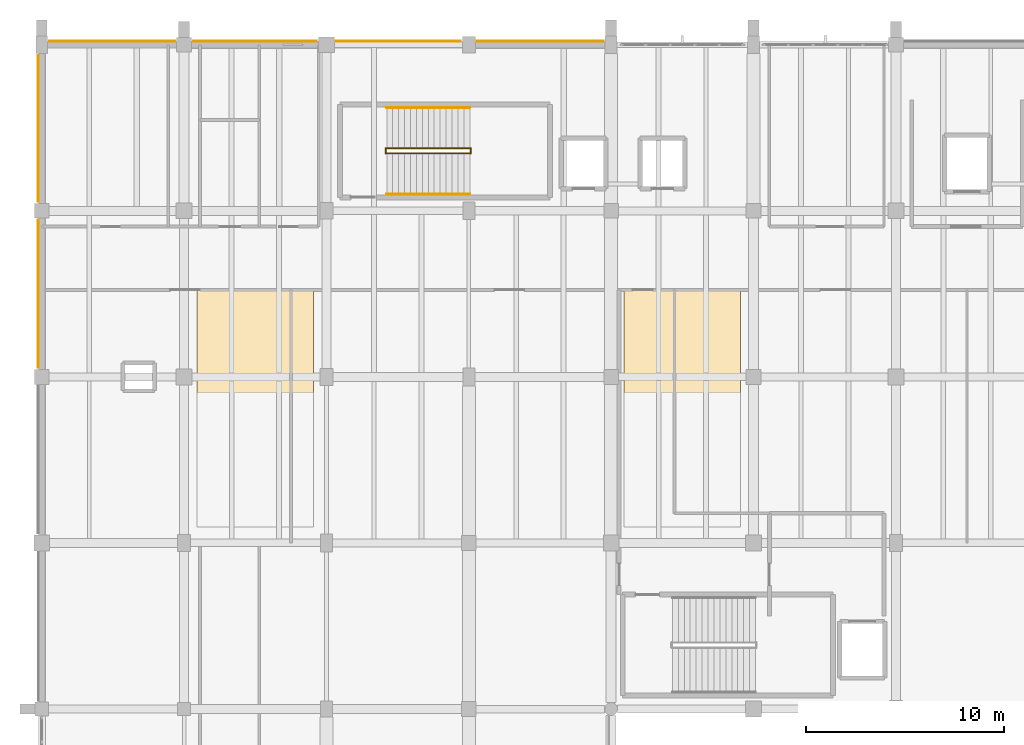
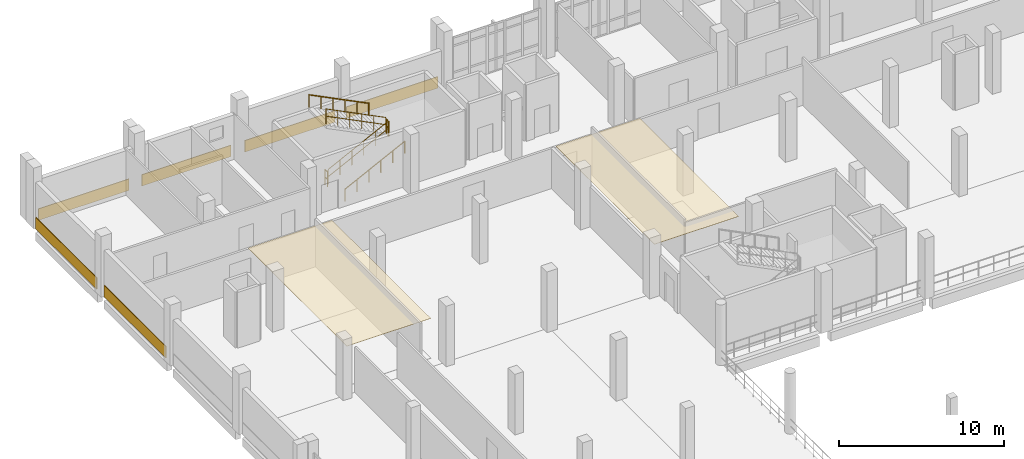
# One storey, part 114 of 116: 8 coverings, 6 railings.
"""IFC4 building model written with IfcOpenShell, lengths in metres."""

from ifc_helpers import new_model, si_unit, direction, frame, origin, origin_2d, place, context, subcontext, project, spatial, polyline, rectangle, circle, outline, extrude, material, layer, layer_set, type_object, element, save


model = new_model("IFC4")

# Units and contexts
model_context = context("Model", 3, precision=1e-05, world=origin(), true_north=direction((0.0, 1.0)))
body_context = subcontext(model_context, "Body", "Model", "MODEL_VIEW")
ifc_project = project(units=[si_unit("LENGTHUNIT", "METRE"), si_unit("AREAUNIT", "SQUARE_METRE"), si_unit("VOLUMEUNIT", "CUBIC_METRE"), si_unit("PLANEANGLEUNIT", "RADIAN"), si_unit("MASSUNIT", "GRAM", prefix="KILO")], contexts=[model_context])

# Site, building, storey
site_placement = place(None, origin())
site = spatial("IfcSite", under=ifc_project, at=site_placement, CompositionType="ELEMENT")
building_placement = place(site_placement, origin())
building = spatial("IfcBuilding", under=site, at=building_placement, Name="Kalluvel Institute of Natural Sciences", CompositionType="ELEMENT")
storey_placement = place(building_placement, frame((0.0, 0.0, 14.39990234375)))
storey = spatial("IfcBuildingStorey", under=building, at=storey_placement, Name="L03", CompositionType="ELEMENT", Elevation=14.39990234375)

# Coverings
ifc_material_1 = material(Name="Perforated Mineral-Fibre Acoustic Tile", Category="gypsum")
ifc_layer_1 = layer(ifc_material_1, 0.02490234375)
ifc_layer_set_1 = layer_set([ifc_layer_1], Name="Perforated Mineral-Fibre Acoustic Tile")
covering_type_1 = type_object("IfcCoveringType", Name="COV-CEIL-600", PredefinedType="CEILING", material=ifc_layer_set_1)
covering_1_placement = place(storey_placement, frame((0.0, 0.0, 2.9501953125)))
element("IfcCovering", 1, at=covering_1_placement, inside=storey, type_object=covering_type_1, Name="L03 laboratory acoustic ceiling panel 7", PredefinedType="CEILING", context=body_context, shape_type="SweptSolid", body=[
    extrude(outline(polyline([(21.85009765625, 103.60009765625), (27.75, 103.60009765625), (27.75, 115.60009765625), (21.85009765625, 115.60009765625), (21.85009765625, 103.60009765625)])), origin(), (0.0, 0.0, 1.0), 0.02490234375),
])
covering_2_placement = place(storey_placement, frame((0.0, 0.0, 2.9501953125)))
element("IfcCovering", 2, at=covering_2_placement, inside=storey, type_object=covering_type_1, Name="L03 laboratory acoustic ceiling panel 8", PredefinedType="CEILING", context=body_context, shape_type="SweptSolid", body=[
    extrude(outline(polyline([(43.449951171875, 103.60009765625), (49.35009765625, 103.60009765625), (49.35009765625, 115.60009765625), (43.449951171875, 115.60009765625), (43.449951171875, 103.60009765625)])), origin(), (0.0, 0.0, 1.0), 0.02490234375),
])
ifc_material_2 = material(Name="Sadarahalli Grey Granite Ashlar Concrete M40", Category="masonry")
ifc_layer_2 = layer(ifc_material_2, 0.044921875)
ifc_layer_set_2 = layer_set([ifc_layer_2], Name="Sadarahalli Grey Granite Ashlar Concrete M40")
covering_type_2 = type_object("IfcCoveringType", Name="COV-CLAD-STONE", PredefinedType="CLADDING", material=ifc_layer_set_2)
covering_3_placement = place(storey_placement, frame((17.5625, 128.179931640625, 0.025146484375), z_axis=(0.0, 0.0, 1.0), x_axis=(1.0, 0.0, 0.0)))
element("IfcCovering", 3, at=covering_3_placement, inside=storey, type_object=covering_type_2, Name="L03 Sadarahalli granite plinth spandrel cladding 36", PredefinedType="CLADDING", context=body_context, shape_type="SweptSolid", body=[
    extrude(rectangle(XDim=6.364990234375, YDim=0.044921875, at=origin_2d()), origin(), (0.0, 0.0, 1.0), 0.85009765625),
])
covering_4_placement = place(storey_placement, frame((24.78759765625, 128.179931640625, 0.025146484375), z_axis=(0.0, 0.0, 1.0), x_axis=(1.0, 0.0, 0.0)))
element("IfcCovering", 4, at=covering_4_placement, inside=storey, type_object=covering_type_2, Name="L03 Sadarahalli granite plinth spandrel cladding 37", PredefinedType="CLADDING", context=body_context, shape_type="SweptSolid", body=[
    extrude(rectangle(XDim=6.264892578125, YDim=0.044921875, at=origin_2d()), origin(), (0.0, 0.0, 1.0), 0.85009765625),
])
covering_5_placement = place(storey_placement, frame((32.03759765625, 128.179931640625, 0.025146484375), z_axis=(0.0, 0.0, 1.0), x_axis=(1.0, 0.0, 0.0)))
element("IfcCovering", 5, at=covering_5_placement, inside=storey, type_object=covering_type_2, Name="L03 Sadarahalli granite plinth spandrel cladding 38", PredefinedType="CLADDING", context=body_context, shape_type="SweptSolid", body=[
    extrude(rectangle(XDim=6.31494140625, YDim=0.044921875, at=origin_2d()), origin(), (0.0, 0.0, 1.0), 0.85009765625),
])
covering_6_placement = place(storey_placement, frame((39.21240234375, 128.179931640625, 0.025146484375), z_axis=(0.0, 0.0, 1.0), x_axis=(1.0, 0.0, 0.0)))
element("IfcCovering", 6, at=covering_6_placement, inside=storey, type_object=covering_type_2, Name="L03 Sadarahalli granite plinth spandrel cladding 39", PredefinedType="CLADDING", context=body_context, shape_type="SweptSolid", body=[
    extrude(rectangle(XDim=6.4150390625, YDim=0.044921875, at=origin_2d()), origin(), (0.0, 0.0, 1.0), 0.85009765625),
])
covering_7_placement = place(storey_placement, frame((13.820068359375, 115.39990234375, 0.025146484375), z_axis=(0.0, 0.0, 1.0), x_axis=(0.0, 1.0, 0.0)))
element("IfcCovering", 7, at=covering_7_placement, inside=storey, type_object=covering_type_2, Name="L03 Sadarahalli granite plinth spandrel cladding 45", PredefinedType="CLADDING", context=body_context, shape_type="SweptSolid", body=[
    extrude(rectangle(XDim=7.489990234375, YDim=0.044921875, at=origin_2d()), origin(), (0.0, 0.0, 1.0), 0.85009765625),
])
covering_8_placement = place(storey_placement, frame((13.820068359375, 123.762451171875, 0.025146484375), z_axis=(0.0, 0.0, 1.0), x_axis=(0.0, 1.0, 0.0)))
element("IfcCovering", 8, at=covering_8_placement, inside=storey, type_object=covering_type_2, Name="L03 Sadarahalli granite plinth spandrel cladding 46", PredefinedType="CLADDING", context=body_context, shape_type="SweptSolid", body=[
    extrude(rectangle(XDim=7.4150390625, YDim=0.044921875, at=origin_2d()), origin(), (0.0, 0.0, 1.0), 0.85009765625),
])

# Railings
ifc_material_3 = material(Name="Galvanized Fire-Rated Steel", Category="steel")
railing_type_1 = type_object("IfcRailingType", Name="RL-GD-STAIR", PredefinedType="BALUSTRADE", material=ifc_material_3)
railing_1_placement = place(storey_placement, frame((31.449951171875, 122.510009765625, 0.150146484375)))
element("IfcRailing", 9, at=railing_1_placement, inside=storey, type_object=railing_type_1, Name="L03 ST1 stair guard 1", PredefinedType="BALUSTRADE", context=body_context, shape_type="SweptSolid", body=[
    extrude(circle(Radius=0.02392578125, at=origin_2d()), frame((0.0, 0.0, 1.09619140625), z_axis=(0.894437589381, 0.0, 0.447192798132), x_axis=(0.0, 1.0, 0.0)), (0.0, 0.0, 1.0), 4.695556640625),
    extrude(circle(Radius=0.02392578125, at=origin_2d()), frame((0.0, 0.0, 0.56005859375), z_axis=(0.894437589381, 0.0, 0.447192798132), x_axis=(0.0, 1.0, 0.0)), (0.0, 0.0, 1.0), 4.695556640625),
    extrude(circle(Radius=0.02099609375, at=origin_2d()), origin(), (0.0, 0.0, 1.0), 1.072021484375),
    extrude(circle(Radius=0.02099609375, at=origin_2d()), frame((0.840087890625, 0.0, 0.419921875)), (0.0, 0.0, 1.0), 1.072021484375),
    extrude(circle(Radius=0.02099609375, at=origin_2d()), frame((1.679931640625, 0.0, 0.83984375)), (0.0, 0.0, 1.0), 1.072021484375),
    extrude(circle(Radius=0.02099609375, at=origin_2d()), frame((2.52001953125, 0.0, 1.260009765625)), (0.0, 0.0, 1.0), 1.072021484375),
    extrude(circle(Radius=0.02099609375, at=origin_2d()), frame((3.35986328125, 0.0, 1.679931640625)), (0.0, 0.0, 1.0), 1.072021484375),
    extrude(circle(Radius=0.02099609375, at=origin_2d()), frame((4.199951171875, 0.0, 2.099853515625)), (0.0, 0.0, 1.0), 1.072021484375),
])
railing_2_placement = place(storey_placement, frame((35.699951171875, 122.4951171875, 2.25)))
element("IfcRailing", 10, at=railing_2_placement, inside=storey, type_object=railing_type_1, Name="L03 ST1 stair guard 2", PredefinedType="BALUSTRADE", context=body_context, shape_type="SweptSolid", body=[
    extrude(circle(Radius=0.02392578125, at=origin_2d()), frame((0.0, 0.0, 1.09619140625), z_axis=(0.0, 1.0, 0.0), x_axis=(-1.0, 0.0, 0.0)), (0.0, 0.0, 1.0), 0.27978515625),
    extrude(circle(Radius=0.02392578125, at=origin_2d()), frame((0.0, 0.0, 0.56005859375), z_axis=(0.0, 1.0, 0.0), x_axis=(-1.0, 0.0, 0.0)), (0.0, 0.0, 1.0), 0.27978515625),
    extrude(circle(Radius=0.02099609375, at=origin_2d()), origin(), (0.0, 0.0, 1.0), 1.072021484375),
    extrude(circle(Radius=0.02099609375, at=origin_2d()), frame((0.0, 0.27978515625, 0.0)), (0.0, 0.0, 1.0), 1.072021484375),
])
railing_3_placement = place(storey_placement, frame((35.64990234375, 122.760009765625, 2.400146484375)))
element("IfcRailing", 11, at=railing_3_placement, inside=storey, type_object=railing_type_1, Name="L03 ST1 stair guard 3", PredefinedType="BALUSTRADE", context=body_context, shape_type="SweptSolid", body=[
    extrude(circle(Radius=0.02392578125, at=origin_2d()), frame((0.0, 0.0, 1.09619140625), z_axis=(-0.894437589381, 0.0, 0.447192798132), x_axis=(0.0, -1.0, 0.0)), (0.0, 0.0, 1.0), 4.695556640625),
    extrude(circle(Radius=0.02392578125, at=origin_2d()), frame((0.0, 0.0, 0.56005859375), z_axis=(-0.894437589381, 0.0, 0.447192798132), x_axis=(0.0, -1.0, 0.0)), (0.0, 0.0, 1.0), 4.695556640625),
    extrude(circle(Radius=0.02099609375, at=origin_2d()), origin(), (0.0, 0.0, 1.0), 1.072021484375),
    extrude(circle(Radius=0.02099609375, at=origin_2d()), frame((-0.840087890625, 0.0, 0.419921875)), (0.0, 0.0, 1.0), 1.072021484375),
    extrude(circle(Radius=0.02099609375, at=origin_2d()), frame((-1.679931640625, 0.0, 0.83984375)), (0.0, 0.0, 1.0), 1.072021484375),
    extrude(circle(Radius=0.02099609375, at=origin_2d()), frame((-2.52001953125, 0.0, 1.260009765625)), (0.0, 0.0, 1.0), 1.072021484375),
    extrude(circle(Radius=0.02099609375, at=origin_2d()), frame((-3.35986328125, 0.0, 1.679931640625)), (0.0, 0.0, 1.0), 1.072021484375),
    extrude(circle(Radius=0.02099609375, at=origin_2d()), frame((-4.199951171875, 0.0, 2.099853515625)), (0.0, 0.0, 1.0), 1.072021484375),
])
railing_4_placement = place(storey_placement, frame((31.39990234375, 122.4951171875, 0.0)))
element("IfcRailing", 12, at=railing_4_placement, inside=storey, type_object=railing_type_1, Name="L03 ST1 stair guard 4", PredefinedType="BALUSTRADE", context=body_context, shape_type="SweptSolid", body=[
    extrude(circle(Radius=0.02392578125, at=origin_2d()), frame((0.0, 0.0, 1.09619140625), z_axis=(0.0, 1.0, 0.0), x_axis=(-1.0, 0.0, 0.0)), (0.0, 0.0, 1.0), 0.27978515625),
    extrude(circle(Radius=0.02392578125, at=origin_2d()), frame((0.0, 0.0, 0.56005859375), z_axis=(0.0, 1.0, 0.0), x_axis=(-1.0, 0.0, 0.0)), (0.0, 0.0, 1.0), 0.27978515625),
    extrude(circle(Radius=0.02099609375, at=origin_2d()), origin(), (0.0, 0.0, 1.0), 1.072021484375),
    extrude(circle(Radius=0.02099609375, at=origin_2d()), frame((0.0, 0.27978515625, 0.0)), (0.0, 0.0, 1.0), 1.072021484375),
])
railing_type_2 = type_object("IfcRailingType", Name="RL-HR-STAIR", PredefinedType="HANDRAIL", material=ifc_material_3)
railing_5_placement = place(storey_placement, frame((31.449951171875, 120.449951171875, 0.150146484375)))
element("IfcRailing", 13, at=railing_5_placement, inside=storey, type_object=railing_type_2, Name="L03 ST1 stair handrail 1", PredefinedType="HANDRAIL", context=body_context, shape_type="SweptSolid", body=[
    extrude(circle(Radius=0.02392578125, at=origin_2d()), frame((0.0, 0.0, 0.89599609375), z_axis=(0.894437589381, 0.0, 0.447192798132), x_axis=(0.0, 1.0, 0.0)), (0.0, 0.0, 1.0), 4.695556640625),
    extrude(circle(Radius=0.02099609375, at=origin_2d()), origin(), (0.0, 0.0, 1.0), 0.871826171875),
    extrude(circle(Radius=0.02099609375, at=origin_2d()), frame((0.840087890625, 0.0, 0.419921875)), (0.0, 0.0, 1.0), 0.871826171875),
    extrude(circle(Radius=0.02099609375, at=origin_2d()), frame((1.679931640625, 0.0, 0.83984375)), (0.0, 0.0, 1.0), 0.871826171875),
    extrude(circle(Radius=0.02099609375, at=origin_2d()), frame((2.52001953125, 0.0, 1.260009765625)), (0.0, 0.0, 1.0), 0.871826171875),
    extrude(circle(Radius=0.02099609375, at=origin_2d()), frame((3.35986328125, 0.0, 1.679931640625)), (0.0, 0.0, 1.0), 0.871826171875),
    extrude(circle(Radius=0.02099609375, at=origin_2d()), frame((4.199951171875, 0.0, 2.099853515625)), (0.0, 0.0, 1.0), 0.871826171875),
])
railing_6_placement = place(storey_placement, frame((35.64990234375, 124.820068359375, 2.400146484375)))
element("IfcRailing", 14, at=railing_6_placement, inside=storey, type_object=railing_type_2, Name="L03 ST1 stair handrail 2", PredefinedType="HANDRAIL", context=body_context, shape_type="SweptSolid", body=[
    extrude(circle(Radius=0.02392578125, at=origin_2d()), frame((0.0, 0.0, 0.89599609375), z_axis=(-0.894437589381, 0.0, 0.447192798132), x_axis=(0.0, -1.0, 0.0)), (0.0, 0.0, 1.0), 4.695556640625),
    extrude(circle(Radius=0.02099609375, at=origin_2d()), origin(), (0.0, 0.0, 1.0), 0.871826171875),
    extrude(circle(Radius=0.02099609375, at=origin_2d()), frame((-0.840087890625, 0.0, 0.419921875)), (0.0, 0.0, 1.0), 0.871826171875),
    extrude(circle(Radius=0.02099609375, at=origin_2d()), frame((-1.679931640625, 0.0, 0.83984375)), (0.0, 0.0, 1.0), 0.871826171875),
    extrude(circle(Radius=0.02099609375, at=origin_2d()), frame((-2.52001953125, 0.0, 1.260009765625)), (0.0, 0.0, 1.0), 0.871826171875),
    extrude(circle(Radius=0.02099609375, at=origin_2d()), frame((-3.35986328125, 0.0, 1.679931640625)), (0.0, 0.0, 1.0), 0.871826171875),
    extrude(circle(Radius=0.02099609375, at=origin_2d()), frame((-4.199951171875, 0.0, 2.099853515625)), (0.0, 0.0, 1.0), 0.871826171875),
])

save(model, "model.ifc")
